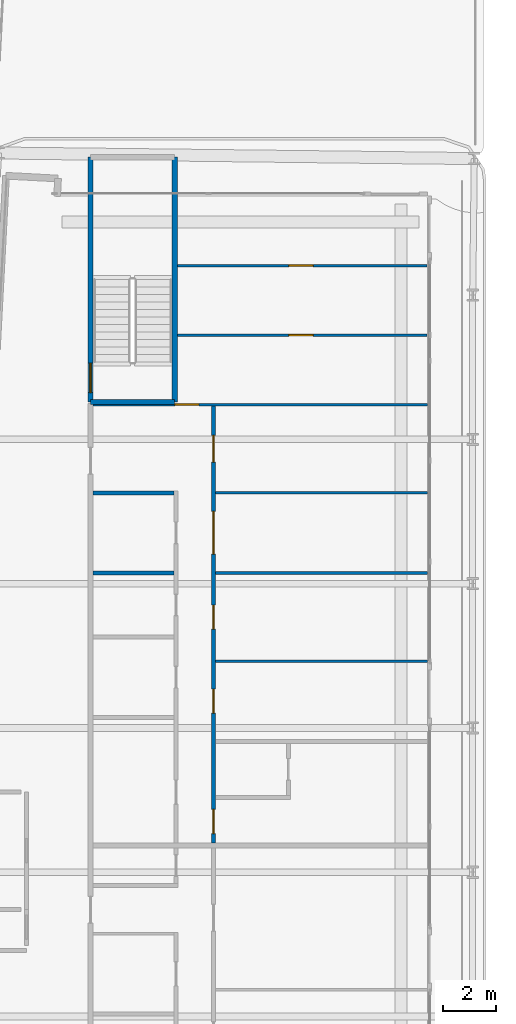
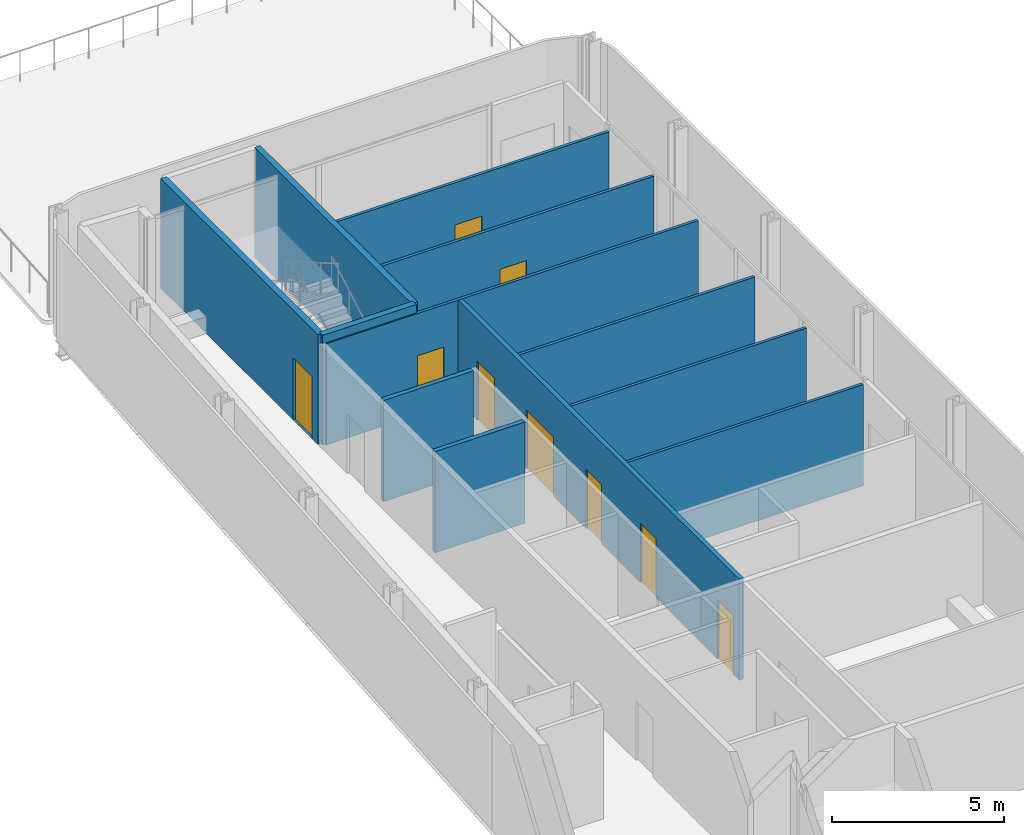
# One storey, part 18 of 28: 12 walls, 9 doors, 9 openings.
"""IFC4 building model written with IfcOpenShell, lengths in metres."""

from ifc_helpers import new_model, si_unit, direction, frame, frame_2d, origin, place, context, subcontext, project, spatial, rectangle, extrude, source, transform, mapped, material, layer, layer_set, type_object, element, fill, save


model = new_model("IFC4")

# Units and contexts
model_context = context("Model", 3, precision=1e-05, world=origin(), true_north=direction((0.0, 1.0)))
body_context = subcontext(model_context, "Body", "Model", "MODEL_VIEW")
ifc_project = project(units=[si_unit("LENGTHUNIT", "METRE"), si_unit("AREAUNIT", "SQUARE_METRE"), si_unit("VOLUMEUNIT", "CUBIC_METRE"), si_unit("PLANEANGLEUNIT", "RADIAN"), si_unit("MASSUNIT", "GRAM", prefix="KILO")], contexts=[model_context])

# Site, building, storey
site_placement = place(None, origin())
site = spatial("IfcSite", under=ifc_project, at=site_placement, CompositionType="ELEMENT")
building_placement = place(site_placement, origin())
building = spatial("IfcBuilding", under=site, at=building_placement, Name="Kheshtan School and Residences Tower", CompositionType="ELEMENT")
storey_placement = place(building_placement, frame((0.0, 0.0, 94.10009765625)))
storey = spatial("IfcBuildingStorey", under=building, at=storey_placement, Name="L21", CompositionType="ELEMENT", Elevation=94.10009765625)

# Wall, opening, door
ifc_material_1 = material(Name="Gypsum board on steel studs", Category="steel")
ifc_layer_1 = layer(ifc_material_1, 0.10009765625)
ifc_layer_set_1 = layer_set([ifc_layer_1], Name="Gypsum partition 100")
wall_type_1 = type_object("IfcWallType", Name="Gypsum partition 100", PredefinedType="PARTITIONING", material=ifc_layer_set_1)
wall_1_placement = place(storey_placement, frame((33.39990234375, 79.300048828125, 0.0), z_axis=(0.0, 0.0, 1.0), x_axis=(1.0, 0.0, 0.0)))
wall_1 = element("IfcWall", 1, at=wall_1_placement, inside=storey, type_object=wall_type_1, Name="Partition L21-011", PredefinedType="PARTITIONING", context=body_context, shape_type="SweptSolid", body=[
    extrude(rectangle(XDim=12.5, YDim=0.10009765625, at=frame_2d((6.25, 0.0))), origin(), (0.0, 0.0, 1.0), 3.599853515625),
])
opening_1_placement = place(wall_1_placement, frame((3.052978515625, 0.0, 0.0)))
opening_1 = element("IfcOpeningElement", 2, at=opening_1_placement, cuts=wall_1, Name="Opening D21-046", PredefinedType="OPENING", context=body_context, shape_type="SweptSolid", body=[
    extrude(rectangle(XDim=0.89990234375, YDim=2.10009765625, at=frame_2d((0.449951171875, 1.050048828125))), frame((0.0, 0.06005859375, 0.0), z_axis=(0.0, -1.0, 0.0), x_axis=(1.0, 0.0, 0.0)), (0.0, 0.0, 1.0), 0.1201171875),
])
ifc_material_2 = material(Name="Veneered timber door leaf", Category="wood")
door_type_1 = type_object("IfcDoorType", Name="Door 900 x 2100", OperationType="SINGLE_SWING_LEFT", PredefinedType="DOOR", material=ifc_material_2)
shared_shape_1 = source(origin(), body_context, "Body", "SweptSolid", [
    extrude(rectangle(XDim=0.89990234375, YDim=2.10009765625, at=frame_2d((0.449951171875, 1.050048828125))), frame((0.0, 0.02490234375, 0.0), z_axis=(0.0, -1.0, 0.0), x_axis=(1.0, 0.0, 0.0)), (0.0, 0.0, 1.0), 0.050048828125),
])
door_1_placement = place(opening_1_placement, origin())
door_1 = element("IfcDoor", 3, at=door_1_placement, inside=storey, type_object=door_type_1, Name="Door D21-046", OperationType="SINGLE_SWING_LEFT", OverallHeight=2.10009765625, OverallWidth=0.89990234375, PredefinedType="DOOR", context=body_context, shape_type="MappedRepresentation", body=[
    mapped(shared_shape_1, transform((0.0, 0.0, 0.0), x_axis=(1.0, 0.0, 0.0), y_axis=(0.0, 1.0, 0.0), z_axis=(0.0, 0.0, 1.0), scale=1.0)),
])
fill(opening_1, door_1)

wall_2_placement = place(storey_placement, frame((36.549072265625, 81.89990234375, 0.0), z_axis=(0.0, 0.0, 1.0), x_axis=(1.0, 0.0, 0.0)))
wall_2 = element("IfcWall", 4, at=wall_2_placement, inside=storey, type_object=wall_type_1, Name="Partition L21-018", PredefinedType="PARTITIONING", context=body_context, shape_type="SweptSolid", body=[
    extrude(rectangle(XDim=9.350830078125, YDim=0.10009765625, at=frame_2d((4.67529296875, 0.0))), origin(), (0.0, 0.0, 1.0), 3.599853515625),
])
opening_2_placement = place(wall_2_placement, frame((4.176025390625, 0.0, 0.0)))
opening_2 = element("IfcOpeningElement", 5, at=opening_2_placement, cuts=wall_2, Name="Opening D21-047", PredefinedType="OPENING", context=body_context, shape_type="SweptSolid", body=[
    extrude(rectangle(XDim=0.89990234375, YDim=2.10009765625, at=frame_2d((0.449951171875, 1.050048828125))), frame((0.0, 0.06005859375, 0.0), z_axis=(0.0, -1.0, 0.0), x_axis=(1.0, 0.0, 0.0)), (0.0, 0.0, 1.0), 0.1201171875),
])
door_2_placement = place(opening_2_placement, origin())
door_2 = element("IfcDoor", 6, at=door_2_placement, inside=storey, type_object=door_type_1, Name="Door D21-047", OperationType="SINGLE_SWING_RIGHT", OverallHeight=2.10009765625, OverallWidth=0.89990234375, PredefinedType="DOOR", context=body_context, shape_type="MappedRepresentation", body=[
    mapped(shared_shape_1, transform((0.0, 0.0, 0.0), x_axis=(1.0, 0.0, 0.0), y_axis=(0.0, 1.0, 0.0), z_axis=(0.0, 0.0, 1.0), scale=1.0)),
])
fill(opening_2, door_2)

wall_3_placement = place(storey_placement, frame((36.549072265625, 84.5, 0.0), z_axis=(0.0, 0.0, 1.0), x_axis=(1.0, 0.0, 0.0)))
wall_3 = element("IfcWall", 7, at=wall_3_placement, inside=storey, type_object=wall_type_1, Name="Partition L21-019", PredefinedType="PARTITIONING", context=body_context, shape_type="SweptSolid", body=[
    extrude(rectangle(XDim=9.350830078125, YDim=0.10009765625, at=frame_2d((4.67529296875, 0.0))), origin(), (0.0, 0.0, 1.0), 3.599853515625),
])
opening_3_placement = place(wall_3_placement, frame((4.176025390625, 0.0, 0.0)))
opening_3 = element("IfcOpeningElement", 8, at=opening_3_placement, cuts=wall_3, Name="Opening D21-048", PredefinedType="OPENING", context=body_context, shape_type="SweptSolid", body=[
    extrude(rectangle(XDim=0.89990234375, YDim=2.10009765625, at=frame_2d((0.449951171875, 1.050048828125))), frame((0.0, 0.06005859375, 0.0), z_axis=(0.0, -1.0, 0.0), x_axis=(1.0, 0.0, 0.0)), (0.0, 0.0, 1.0), 0.1201171875),
])
door_3_placement = place(opening_3_placement, origin())
door_3 = element("IfcDoor", 9, at=door_3_placement, inside=storey, type_object=door_type_1, Name="Door D21-048", OperationType="SINGLE_SWING_RIGHT", OverallHeight=2.10009765625, OverallWidth=0.89990234375, PredefinedType="DOOR", context=body_context, shape_type="MappedRepresentation", body=[
    mapped(shared_shape_1, transform((0.0, 0.0, 0.0), x_axis=(1.0, 0.0, 0.0), y_axis=(0.0, 1.0, 0.0), z_axis=(0.0, 0.0, 1.0), scale=1.0)),
])
fill(opening_3, door_3)

# Walls
for number, where, z_axis, x_axis, name in (
    (10, (37.97509765625, 69.699951171875, 0.0), (0.0, 0.0, 1.0), (1.0, 0.0, 0.0), "Partition L21-025"),
    (11, (37.97509765625, 73.0, 0.0), (0.0, 0.0, 1.0), (1.0, 0.0, 0.0), "Partition L21-026"),
    (12, (37.97509765625, 76.0, 0.0), (0.0, 0.0, 1.0), (1.0, 0.0, 0.0), "Partition L21-027"),
):
    element("IfcWall", number, at=place(storey_placement, frame(where, z_axis=z_axis, x_axis=x_axis)), inside=storey, type_object=wall_type_1, Name=name, PredefinedType="PARTITIONING", context=body_context, shape_type="SweptSolid", body=[
        extrude(rectangle(XDim=7.9248046875, YDim=0.10009765625, at=frame_2d((3.96240234375, 0.0))), origin(), (0.0, 0.0, 1.0), 3.599853515625),
    ])
ifc_material_3 = material(Name="Concrete C40/50", Category="concrete")
ifc_layer_2 = layer(ifc_material_3, 0.199951171875)
ifc_layer_set_2 = layer_set([ifc_layer_2], Name="Stair enclosure wall 200 Concrete C40/50")
wall_type_2 = type_object("IfcWallType", Name="Stair enclosure wall 200 Concrete C40/50", PredefinedType="SHEAR", material=ifc_layer_set_2)
wall_4_placement = place(storey_placement, frame((33.300048828125, 79.39990234375, 0.0), z_axis=(0.0, 0.0, 1.0), x_axis=(1.0, 0.0, 0.0)))
element("IfcWall", 13, at=wall_4_placement, inside=storey, type_object=wall_type_2, Name="Stair enclosure wall ST3", PredefinedType="SHEAR", context=body_context, shape_type="SweptSolid", body=[
    extrude(rectangle(XDim=3.14990234375, YDim=0.199951171875, at=frame_2d((1.574951171875, 0.0))), origin(), (0.0, 0.0, 1.0), 3.89990234375),
])

# Wall, opening, door
wall_5_placement = place(storey_placement, frame((33.300048828125, 79.39990234375, 0.0), z_axis=(0.0, 0.0, 1.0), x_axis=(0.0, 1.0, 0.0)))
wall_5 = element("IfcWall", 14, at=wall_5_placement, inside=storey, type_object=wall_type_2, Name="Stair enclosure wall ST3", PredefinedType="SHEAR", context=body_context, shape_type="SweptSolid", body=[
    extrude(rectangle(XDim=9.16015625, YDim=0.199951171875, at=frame_2d((4.580078125, 0.0))), origin(), (0.0, 0.0, 1.0), 3.89990234375),
])
opening_4_placement = place(wall_5_placement, frame((0.35009765625, 0.0, 0.0)))
opening_4 = element("IfcOpeningElement", 15, at=opening_4_placement, cuts=wall_5, Name="Opening ST3D", PredefinedType="OPENING", context=body_context, shape_type="SweptSolid", body=[
    extrude(rectangle(XDim=1.10009765625, YDim=2.199951171875, at=frame_2d((0.550048828125, 1.10009765625))), frame((0.0, 0.10986328125, 0.0), z_axis=(0.0, -1.0, 0.0), x_axis=(1.0, 0.0, 0.0)), (0.0, 0.0, 1.0), 0.219970703125),
])
ifc_material_4 = material(Name="Steel door leaf, galvanised", Category="steel")
door_type_2 = type_object("IfcDoorType", Name="Stair door 1100 steel 90 min", OperationType="SINGLE_SWING_LEFT", PredefinedType="DOOR", material=ifc_material_4)
shared_shape_2 = source(origin(), body_context, "Body", "SweptSolid", [
    extrude(rectangle(XDim=1.10009765625, YDim=2.199951171875, at=frame_2d((0.550048828125, 1.10009765625))), frame((0.0, 0.02490234375, 0.0), z_axis=(0.0, -1.0, 0.0), x_axis=(1.0, 0.0, 0.0)), (0.0, 0.0, 1.0), 0.050048828125),
])
door_4_placement = place(opening_4_placement, origin())
door_4 = element("IfcDoor", 16, at=door_4_placement, inside=storey, type_object=door_type_2, Name="Stair ST3 door", OperationType="SINGLE_SWING_RIGHT", OverallHeight=2.199951171875, OverallWidth=1.10009765625, PredefinedType="DOOR", context=body_context, shape_type="MappedRepresentation", body=[
    mapped(shared_shape_2, transform((0.0, 0.0, 0.0), x_axis=(1.0, 0.0, 0.0), y_axis=(0.0, 1.0, 0.0), z_axis=(0.0, 0.0, 1.0), scale=1.0)),
])
fill(opening_4, door_4)

# Walls
wall_6_placement = place(storey_placement, frame((36.449951171875, 79.39990234375, 0.0), z_axis=(0.0, 0.0, 1.0), x_axis=(0.0, 1.0, 0.0)))
element("IfcWall", 17, at=wall_6_placement, inside=storey, type_object=wall_type_2, Name="Stair enclosure wall ST3", PredefinedType="SHEAR", context=body_context, shape_type="SweptSolid", body=[
    extrude(rectangle(XDim=9.16015625, YDim=0.199951171875, at=frame_2d((4.580078125, 0.0))), origin(), (0.0, 0.0, 1.0), 3.89990234375),
])
ifc_material_5 = material(Name="Moisture-resistant gypsum board on steel studs", Category="steel")
ifc_layer_3 = layer(ifc_material_5, 0.14990234375)
ifc_layer_set_3 = layer_set([ifc_layer_3], Name="Wet-room partition 150")
wall_type_3 = type_object("IfcWallType", Name="Wet-room partition 150", PredefinedType="PARTITIONING", material=ifc_layer_set_3)
for number, where, z_axis, x_axis, name in (
    (18, (33.39990234375, 73.0, 0.0), (0.0, 0.0, 1.0), (1.0, 0.0, 0.0), "Partition L21-009"),
    (19, (33.39990234375, 76.0, 0.0), (0.0, 0.0, 1.0), (1.0, 0.0, 0.0), "Partition L21-010"),
):
    element("IfcWall", number, at=place(storey_placement, frame(where, z_axis=z_axis, x_axis=x_axis)), inside=storey, type_object=wall_type_3, Name=name, PredefinedType="PARTITIONING", context=body_context, shape_type="SweptSolid", body=[
        extrude(rectangle(XDim=3.025146484375, YDim=0.14990234375, at=frame_2d((1.5126953125, 0.0))), origin(), (0.0, 0.0, 1.0), 3.599853515625),
    ])

# Wall, openings, doors
wall_7_placement = place(storey_placement, frame((37.89990234375, 62.89990234375, 0.0), z_axis=(0.0, 0.0, 1.0), x_axis=(0.0, 1.0, 0.0)))
wall_7 = element("IfcWall", 20, at=wall_7_placement, inside=storey, type_object=wall_type_3, Name="Partition L21-021", PredefinedType="PARTITIONING", context=body_context, shape_type="SweptSolid", body=[
    extrude(rectangle(XDim=16.35009765625, YDim=0.14990234375, at=frame_2d((8.175048828125, 0.0))), origin(), (0.0, 0.0, 1.0), 3.599853515625),
])
opening_5_placement = place(wall_7_placement, frame((4.85009765625, 0.0, 0.0)))
opening_5 = element("IfcOpeningElement", 21, at=opening_5_placement, cuts=wall_7, Name="Opening D21-037", PredefinedType="OPENING", context=body_context, shape_type="SweptSolid", body=[
    extrude(rectangle(XDim=0.89990234375, YDim=2.10009765625, at=frame_2d((0.449951171875, 1.050048828125))), frame((0.0, 0.0849609375, 0.0), z_axis=(0.0, -1.0, 0.0), x_axis=(1.0, 0.0, 0.0)), (0.0, 0.0, 1.0), 0.169921875),
])
opening_6_placement = place(wall_7_placement, frame((8.0, 0.0, 0.0)))
opening_6 = element("IfcOpeningElement", 22, at=opening_6_placement, cuts=wall_7, Name="Opening D21-038", PredefinedType="OPENING", context=body_context, shape_type="SweptSolid", body=[
    extrude(rectangle(XDim=0.89990234375, YDim=2.10009765625, at=frame_2d((0.449951171875, 1.050048828125))), frame((0.0, 0.0849609375, 0.0), z_axis=(0.0, -1.0, 0.0), x_axis=(1.0, 0.0, 0.0)), (0.0, 0.0, 1.0), 0.169921875),
])
opening_7_placement = place(wall_7_placement, frame((14.25, 0.0, 0.0)))
opening_7 = element("IfcOpeningElement", 23, at=opening_7_placement, cuts=wall_7, Name="Opening D21-042", PredefinedType="OPENING", context=body_context, shape_type="SweptSolid", body=[
    extrude(rectangle(XDim=1.0, YDim=2.10009765625, at=frame_2d((0.5, 1.050048828125))), frame((0.0, 0.0849609375, 0.0), z_axis=(0.0, -1.0, 0.0), x_axis=(1.0, 0.0, 0.0)), (0.0, 0.0, 1.0), 0.169921875),
])
opening_8_placement = place(wall_7_placement, frame((10.800048828125, 0.0, 0.0)))
opening_8 = element("IfcOpeningElement", 24, at=opening_8_placement, cuts=wall_7, Name="Opening D21-043", PredefinedType="OPENING", context=body_context, shape_type="SweptSolid", body=[
    extrude(rectangle(XDim=1.60009765625, YDim=2.10009765625, at=frame_2d((0.800048828125, 1.050048828125))), frame((0.0, 0.0849609375, 0.0), z_axis=(0.0, -1.0, 0.0), x_axis=(1.0, 0.0, 0.0)), (0.0, 0.0, 1.0), 0.169921875),
])
opening_9_placement = place(wall_7_placement, frame((0.35009765625, 0.0, 0.0)))
opening_9 = element("IfcOpeningElement", 25, at=opening_9_placement, cuts=wall_7, Name="Opening D21-044", PredefinedType="OPENING", context=body_context, shape_type="SweptSolid", body=[
    extrude(rectangle(XDim=0.89990234375, YDim=2.10009765625, at=frame_2d((0.449951171875, 1.050048828125))), frame((0.0, 0.0849609375, 0.0), z_axis=(0.0, -1.0, 0.0), x_axis=(1.0, 0.0, 0.0)), (0.0, 0.0, 1.0), 0.169921875),
])
door_type_3 = type_object("IfcDoorType", Name="Door 1000 x 2100", OperationType="SINGLE_SWING_LEFT", PredefinedType="DOOR", material=ifc_material_2)
shared_shape_3 = source(origin(), body_context, "Body", "SweptSolid", [
    extrude(rectangle(XDim=1.0, YDim=2.10009765625, at=frame_2d((0.5, 1.050048828125))), frame((0.0, 0.02490234375, 0.0), z_axis=(0.0, -1.0, 0.0), x_axis=(1.0, 0.0, 0.0)), (0.0, 0.0, 1.0), 0.050048828125),
])
door_5_placement = place(opening_7_placement, origin())
door_5 = element("IfcDoor", 26, at=door_5_placement, inside=storey, type_object=door_type_3, Name="Door D21-042", OperationType="SINGLE_SWING_LEFT", OverallHeight=2.10009765625, OverallWidth=1.0, PredefinedType="DOOR", context=body_context, shape_type="MappedRepresentation", body=[
    mapped(shared_shape_3, transform((0.0, 0.0, 0.0), x_axis=(1.0, 0.0, 0.0), y_axis=(0.0, 1.0, 0.0), z_axis=(0.0, 0.0, 1.0), scale=1.0)),
])
fill(opening_7, door_5)
door_6_placement = place(opening_5_placement, origin())
door_6 = element("IfcDoor", 27, at=door_6_placement, inside=storey, type_object=door_type_1, Name="Door D21-037", OperationType="SINGLE_SWING_LEFT", OverallHeight=2.10009765625, OverallWidth=0.89990234375, PredefinedType="DOOR", context=body_context, shape_type="MappedRepresentation", body=[
    mapped(shared_shape_1, transform((0.0, 0.0, 0.0), x_axis=(1.0, 0.0, 0.0), y_axis=(0.0, 1.0, 0.0), z_axis=(0.0, 0.0, 1.0), scale=1.0)),
])
fill(opening_5, door_6)
door_7_placement = place(opening_6_placement, origin())
door_7 = element("IfcDoor", 28, at=door_7_placement, inside=storey, type_object=door_type_1, Name="Door D21-038", OperationType="SINGLE_SWING_LEFT", OverallHeight=2.10009765625, OverallWidth=0.89990234375, PredefinedType="DOOR", context=body_context, shape_type="MappedRepresentation", body=[
    mapped(shared_shape_1, transform((0.0, 0.0, 0.0), x_axis=(1.0, 0.0, 0.0), y_axis=(0.0, 1.0, 0.0), z_axis=(0.0, 0.0, 1.0), scale=1.0)),
])
fill(opening_6, door_7)
door_8_placement = place(opening_9_placement, origin())
door_8 = element("IfcDoor", 29, at=door_8_placement, inside=storey, type_object=door_type_1, Name="Door D21-044", OperationType="SINGLE_SWING_LEFT", OverallHeight=2.10009765625, OverallWidth=0.89990234375, PredefinedType="DOOR", context=body_context, shape_type="MappedRepresentation", body=[
    mapped(shared_shape_1, transform((0.0, 0.0, 0.0), x_axis=(1.0, 0.0, 0.0), y_axis=(0.0, 1.0, 0.0), z_axis=(0.0, 0.0, 1.0), scale=1.0)),
])
fill(opening_9, door_8)
door_type_4 = type_object("IfcDoorType", Name="Double door 1600 x 2100", OperationType="DOUBLE_DOOR_SINGLE_SWING", PredefinedType="DOOR", material=ifc_material_2)
shared_shape_4 = source(origin(), body_context, "Body", "SweptSolid", [
    extrude(rectangle(XDim=1.60009765625, YDim=2.10009765625, at=frame_2d((0.800048828125, 1.050048828125))), frame((0.0, 0.02490234375, 0.0), z_axis=(0.0, -1.0, 0.0), x_axis=(1.0, 0.0, 0.0)), (0.0, 0.0, 1.0), 0.050048828125),
])
door_9_placement = place(opening_8_placement, origin())
door_9 = element("IfcDoor", 30, at=door_9_placement, inside=storey, type_object=door_type_4, Name="Door D21-043", OperationType="DOUBLE_DOOR_SINGLE_SWING", OverallHeight=2.10009765625, OverallWidth=1.60009765625, PredefinedType="DOOR", context=body_context, shape_type="MappedRepresentation", body=[
    mapped(shared_shape_4, transform((0.0, 0.0, 0.0), x_axis=(1.0, 0.0, 0.0), y_axis=(0.0, 1.0, 0.0), z_axis=(0.0, 0.0, 1.0), scale=1.0)),
])
fill(opening_8, door_9)

save(model, "model.ifc")
